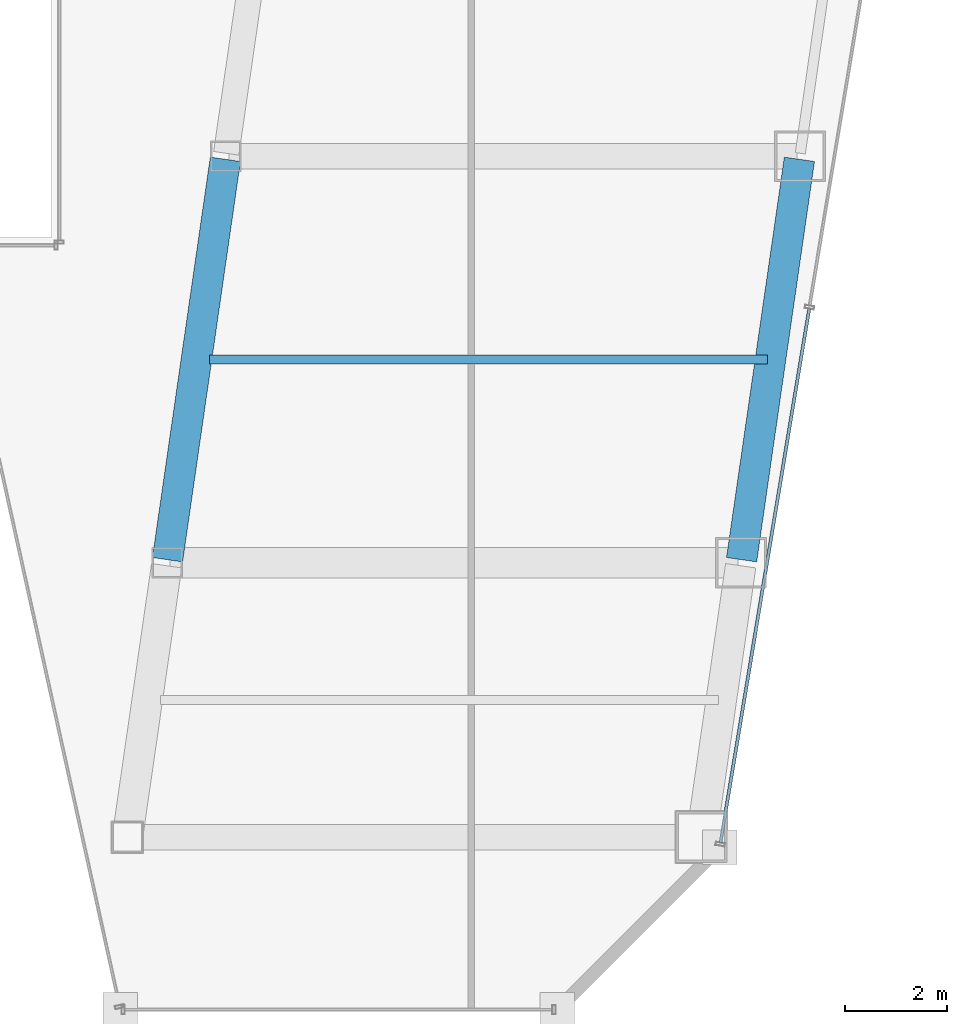
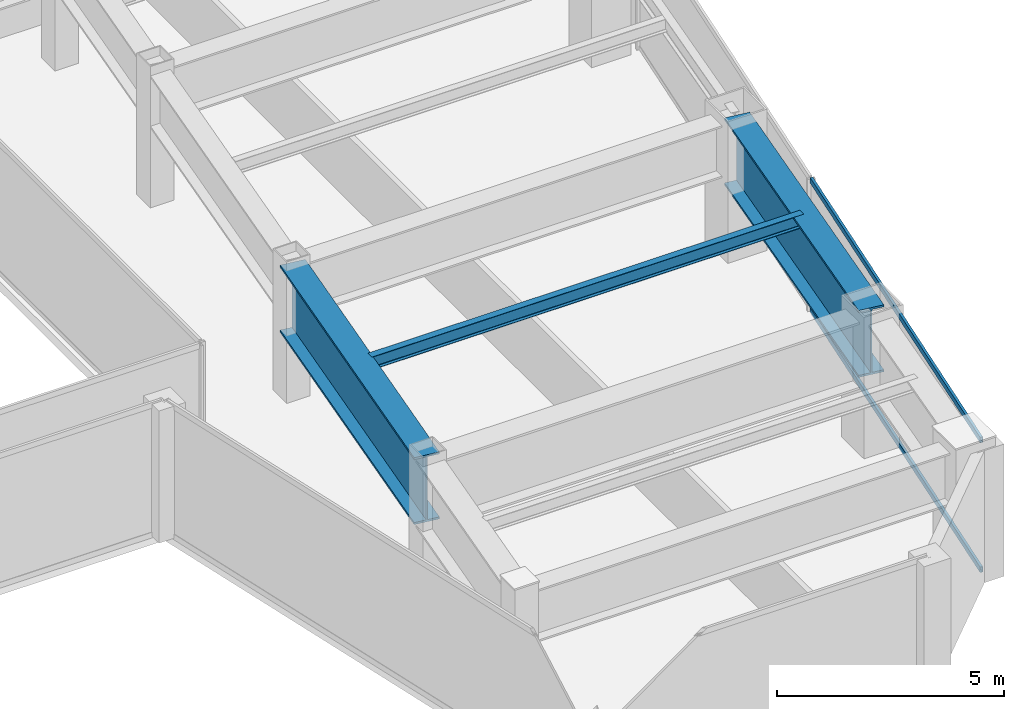
# One storey, part 15 of 37: 3 beams, 2 members, 1 element without a shape of its own.
"""IFC4 building model written with IfcOpenShell, lengths in metres."""

from ifc_helpers import new_model, si_unit, direction, frame, origin, origin_2d, place, context, subcontext, project, spatial, hollow_rectangle, i_section, extrude, material, material_profile, profile_set, type_object, element, aggregate, save


model = new_model("IFC4")

# Units and contexts
model_context = context("Model", 3, precision=1e-05, world=origin(), true_north=direction((0.0, 1.0)))
body_context = subcontext(model_context, "Body", "Model", "MODEL_VIEW")
ifc_project = project(units=[si_unit("LENGTHUNIT", "METRE"), si_unit("AREAUNIT", "SQUARE_METRE"), si_unit("VOLUMEUNIT", "CUBIC_METRE"), si_unit("PLANEANGLEUNIT", "RADIAN"), si_unit("MASSUNIT", "GRAM", prefix="KILO")], contexts=[model_context])

# Site, building, storey
site_placement = place(None, origin())
site = spatial("IfcSite", under=ifc_project, at=site_placement, CompositionType="ELEMENT")
building_placement = place(site_placement, origin())
building = spatial("IfcBuilding", under=site, at=building_placement, Name="Saevonmaru Cultural Tower", CompositionType="ELEMENT")
storey_placement = place(building_placement, frame((0.0, 0.0, 163.800048828125)))
storey = spatial("IfcBuildingStorey", under=building, at=storey_placement, Name="L36", CompositionType="ELEMENT", Elevation=163.800048828125)

# Beams
ifc_material_1 = material(Name="Steel SM355", Category="steel")
ifc_material_profile_1 = material_profile(ifc_material_1, i_section(OverallWidth=0.175048828125, OverallDepth=0.35009765625, WebThickness=0.007080078125, FlangeThickness=0.010986328125, FilletRadius=0.012939453125, at=origin_2d()), Name="H-350x175x7x11")
ifc_profile_set_1 = profile_set([ifc_material_profile_1], Name="Steel SM355")
beam_type_1 = type_object("IfcBeamType", Name="BM-J-H350", PredefinedType="JOIST", material=ifc_profile_set_1)
beam_1_placement = place(storey_placement, frame((38.907958984375, 20.0, 3.375), z_axis=(1.0, 0.0, 0.0), x_axis=(0.0, 1.0, 0.0)))
element("IfcBeam", 1, at=beam_1_placement, inside=storey, type_object=beam_type_1, Name="L36 East Wing Floor Joist 2", PredefinedType="JOIST", context=body_context, shape_type="SweptSolid", body=[
    extrude(i_section(OverallWidth=0.175048828125, OverallDepth=0.35009765625, WebThickness=0.007080078125, FlangeThickness=0.010986328125, FilletRadius=0.012939453125, at=origin_2d()), origin(), (0.0, 0.0, 1.0), 10.98193359375),
])
ifc_material_2 = material(Name="Steel HSA600 (600 MPa)", Category="steel")
ifc_material_profile_2 = material_profile(ifc_material_2, i_section(OverallWidth=0.60009765625, OverallDepth=1.800048828125, WebThickness=0.028076171875, FlangeThickness=0.054931640625, at=origin_2d()), Name="PG-1800x600x28x55")
ifc_profile_set_2 = profile_set([ifc_material_profile_2], Name="Steel HSA600 (600 MPa)")
beam_type_2 = type_object("IfcBeamType", Name="BM-TG-PG1800", PredefinedType="BEAM", material=ifc_profile_set_2)
beam_2_placement = place(storey_placement, frame((38.08056640625, 16.059326171875, 2.64990234375), z_axis=(0.143022161059, 0.989719486241, 0.0), x_axis=(-0.989719486241, 0.143022161059, 0.0)))
element("IfcBeam", 2, at=beam_2_placement, inside=storey, type_object=beam_type_2, Name="L36 East Atrium Girder 2", PredefinedType="BEAM", context=body_context, shape_type="SweptSolid", body=[
    extrude(i_section(OverallWidth=0.60009765625, OverallDepth=1.800048828125, WebThickness=0.028076171875, FlangeThickness=0.054931640625, at=origin_2d()), origin(), (0.0, 0.0, 1.0), 7.963134765625),
])
ifc_material_profile_3 = material_profile(ifc_material_2, i_section(OverallWidth=0.60009765625, OverallDepth=1.800048828125, WebThickness=0.028076171875, FlangeThickness=0.054931640625, at=origin_2d()), Name="PG-1800x600x28x55")
ifc_profile_set_3 = profile_set([ifc_material_profile_3], Name="Steel HSA600 (600 MPa)")
beam_type_3 = type_object("IfcBeamType", Name="BM-TG-PG1800-EXT", PredefinedType="SPANDREL", material=ifc_profile_set_3)
beam_3_placement = place(storey_placement, frame((49.380615234375, 16.059326171875, 2.64990234375), z_axis=(0.142992129437, 0.989723825579, 0.0), x_axis=(-0.989723825579, 0.142992129437, 0.0)))
element("IfcBeam", 3, at=beam_3_placement, inside=storey, type_object=beam_type_3, Name="L36 East Splayed Spandrel 2", PredefinedType="SPANDREL", context=body_context, shape_type="SweptSolid", body=[
    extrude(i_section(OverallWidth=0.60009765625, OverallDepth=1.800048828125, WebThickness=0.028076171875, FlangeThickness=0.054931640625, at=origin_2d()), origin(), (0.0, 0.0, 1.0), 7.963134765625),
])

# Curtain wall, members
ifc_material_3 = material(Name="Satin Bronze Anodised Aluminium", Category="aluminium")
curtain_wall_type = type_object("IfcCurtainWallType", Name="CW-TYP-A", PredefinedType="NOTDEFINED", material=ifc_material_3)
curtain_wall_placement = place(storey_placement, origin())
curtain_wall = element("IfcCurtainWall", 4, at=curtain_wall_placement, inside=storey, type_object=curtain_wall_type, Name="L36 Unitised Curtain Wall E8", PredefinedType="NOTDEFINED")
ifc_material_profile_4 = material_profile(ifc_material_3, hollow_rectangle(XDim=0.06494140625, YDim=0.14990234375, WallThickness=0.00390625, at=origin_2d()), Name="ALU-TRAN-150x65x4")
ifc_profile_set_4 = profile_set([ifc_material_profile_4], Name="Satin Bronze Anodised Aluminium")
member_type = type_object("IfcMemberType", Name="TR-CW-150x65", PredefinedType="USERDEFINED", material=ifc_profile_set_4)
member_1_placement = place(storey_placement, frame((48.96630859375, 10.4912109375, 0.032470703125), z_axis=(0.163990079074, 0.9864619881, 0.0), x_axis=(-0.9864619881, 0.163990079074, 0.0)))
member_1 = element("IfcMember", 5, at=member_1_placement, type_object=member_type, Name="CW-TW-L36-E8 transom 1.1", ObjectType="TRANSOM", PredefinedType="USERDEFINED", context=body_context, shape_type="SweptSolid", body=[
    extrude(hollow_rectangle(XDim=0.06494140625, YDim=0.14990234375, WallThickness=0.00390625, at=origin_2d()), origin(), (0.0, 0.0, 1.0), 10.650634765625),
])
member_2_placement = place(storey_placement, frame((48.96630859375, 10.4912109375, 3.517333984375), z_axis=(0.163990079074, 0.9864619881, 0.0), x_axis=(-0.9864619881, 0.163990079074, 0.0)))
member_2 = element("IfcMember", 6, at=member_2_placement, type_object=member_type, Name="CW-TW-L36-E8 transom 1.2", ObjectType="TRANSOM", PredefinedType="USERDEFINED", context=body_context, shape_type="SweptSolid", body=[
    extrude(hollow_rectangle(XDim=0.06494140625, YDim=0.14990234375, WallThickness=0.00390625, at=origin_2d()), origin(), (0.0, 0.0, 1.0), 10.650634765625),
])
aggregate(curtain_wall, [member_1, member_2])

save(model, "model.ifc")
